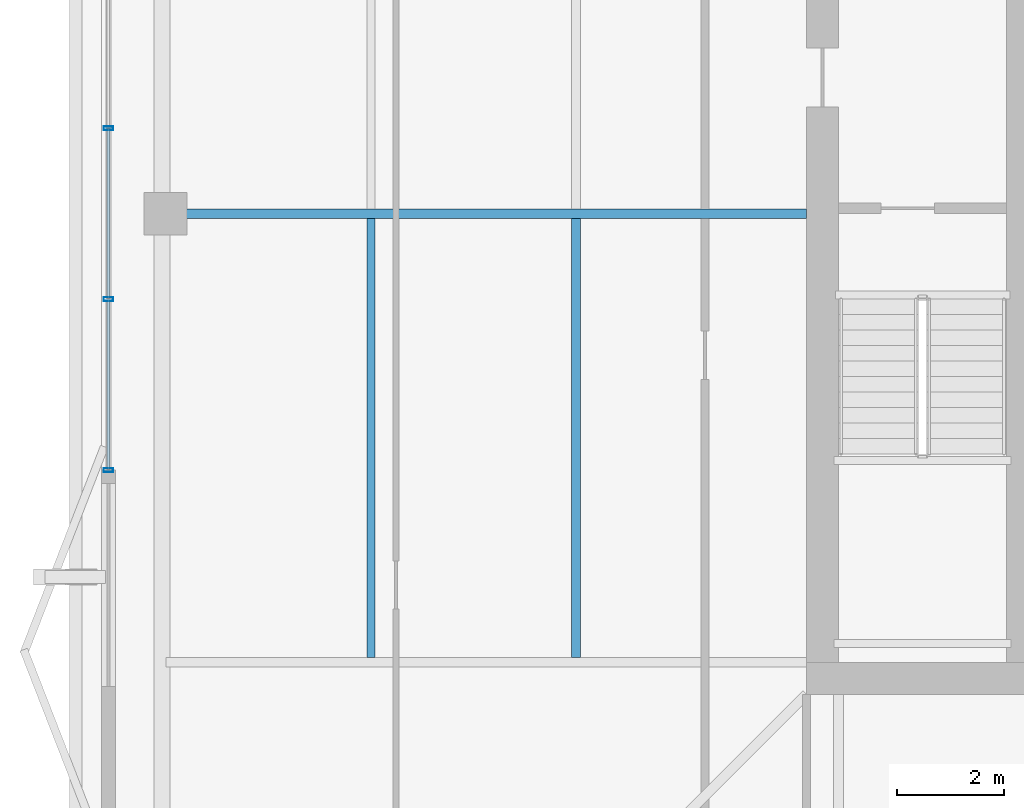
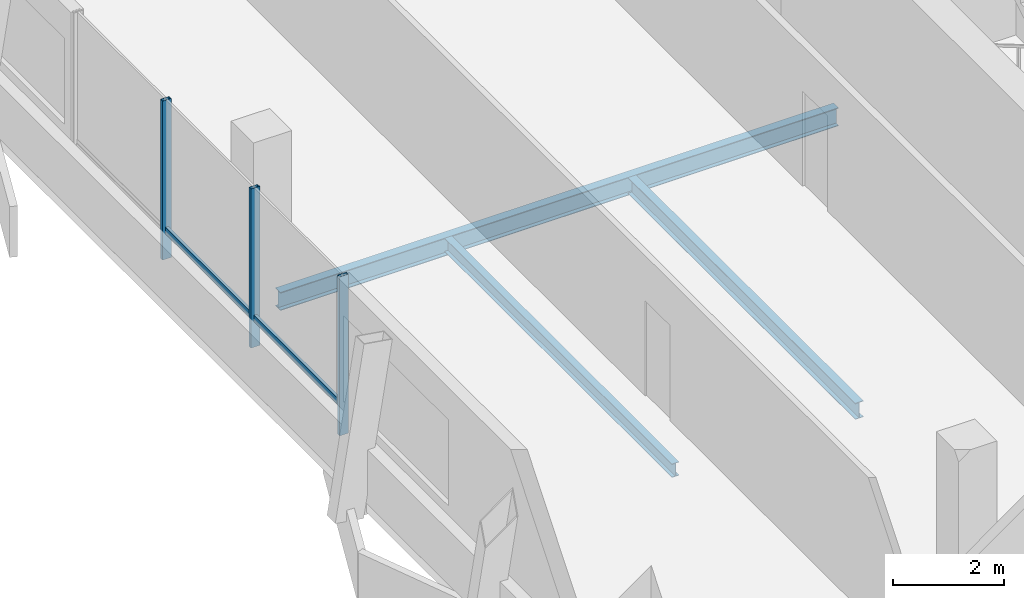
# One storey, part 4 of 17: 5 members, 3 beams, 1 element without a shape of its own.
"""IFC4 building model written with IfcOpenShell, lengths in metres."""

from ifc_helpers import new_model, si_unit, direction, frame, origin, origin_2d, place, context, subcontext, project, spatial, hollow_rectangle, i_section, extrude, material, layer, layer_set, material_profile, profile_set, type_object, element, aggregate, save


model = new_model("IFC4")

# Units and contexts
model_context = context("Model", 3, precision=1e-05, world=origin(), true_north=direction((0.0, 1.0)))
body_context = subcontext(model_context, "Body", "Model", "MODEL_VIEW")
ifc_project = project(units=[si_unit("LENGTHUNIT", "METRE"), si_unit("AREAUNIT", "SQUARE_METRE"), si_unit("VOLUMEUNIT", "CUBIC_METRE"), si_unit("PLANEANGLEUNIT", "RADIAN"), si_unit("MASSUNIT", "GRAM", prefix="KILO")], contexts=[model_context])

# Site, building, storey
site_placement = place(None, origin())
site = spatial("IfcSite", under=ifc_project, at=site_placement, CompositionType="ELEMENT")
building_placement = place(site_placement, origin())
building = spatial("IfcBuilding", under=site, at=building_placement, Name="Belovzor Exchange Tower", CompositionType="ELEMENT")
storey_placement = place(building_placement, frame((0.0, 0.0, 333.0)))
storey = spatial("IfcBuildingStorey", under=building, at=storey_placement, Name="L83", CompositionType="ELEMENT", Elevation=333.0)

# Beams
ifc_material_1 = material(Name="Steel S355", Category="steel")
ifc_material_profile_1 = material_profile(ifc_material_1, i_section(OverallWidth=0.169921875, OverallDepth=0.360107421875, WebThickness=0.008056640625, FlangeThickness=0.0126953125, at=origin_2d()))
ifc_profile_set_1 = profile_set([ifc_material_profile_1], Name="Steel S355")
beam_type_1 = type_object("IfcBeamType", Name="Secondary Infill Floor Joist IPE 360", PredefinedType="BEAM", material=ifc_profile_set_1)
beam_1_placement = place(storey_placement, frame((15.485107421875, 20.489990234375, -0.419921875), z_axis=(0.0, 1.0, 0.0), x_axis=(-1.0, 0.0, 0.0)))
element("IfcBeam", 1, at=beam_1_placement, inside=storey, type_object=beam_type_1, Name="FJ-360 Secondary Infill Floor Joist IPE 360", PredefinedType="BEAM", context=body_context, shape_type="SweptSolid", body=[
    extrude(i_section(OverallWidth=0.169921875, OverallDepth=0.360107421875, WebThickness=0.008056640625, FlangeThickness=0.0126953125, at=origin_2d()), origin(), (0.0, 0.0, 1.0), 8.219970703125),
])
ifc_material_2 = material(Name="Steel S355", Category="steel")
ifc_material_profile_2 = material_profile(ifc_material_2, i_section(OverallWidth=0.14990234375, OverallDepth=0.300048828125, WebThickness=0.007080078125, FlangeThickness=0.0107421875, at=origin_2d()))
ifc_profile_set_2 = profile_set([ifc_material_profile_2], Name="Steel S355")
beam_type_2 = type_object("IfcBeamType", Name="Secondary Trim Floor Joist IPE 300", PredefinedType="BEAM", material=ifc_profile_set_2)
beam_2_placement = place(storey_placement, frame((11.64892578125, 20.489990234375, -0.389892578125), z_axis=(0.0, 1.0, 0.0), x_axis=(-1.0, 0.0, 0.0)))
element("IfcBeam", 2, at=beam_2_placement, inside=storey, type_object=beam_type_2, Name="FJ-300 Secondary Trim Floor Joist IPE 300", PredefinedType="BEAM", context=body_context, shape_type="SweptSolid", body=[
    extrude(i_section(OverallWidth=0.14990234375, OverallDepth=0.300048828125, WebThickness=0.007080078125, FlangeThickness=0.0107421875, at=origin_2d()), origin(), (0.0, 0.0, 1.0), 8.219970703125),
])

# Curtain wall, members
ifc_material_3 = material(Name="Anodised Aluminium Framing", Category="aluminium")
ifc_layer = layer(ifc_material_3, 0.179931640625)
ifc_layer_set = layer_set([ifc_layer], Name="Anodised Aluminium Framing")
curtain_wall_type = type_object("IfcCurtainWallType", Name="Recessed Loggia Low-Iron Triple-Glazed Curtain Wall", PredefinedType="NOTDEFINED", material=ifc_layer_set)
curtain_wall_placement = place(storey_placement, origin())
curtain_wall = element("IfcCurtainWall", 3, at=curtain_wall_placement, inside=storey, type_object=curtain_wall_type, Name="CW3 Recessed Loggia Low-Iron Triple-Glazed Curtain Wall L83", PredefinedType="NOTDEFINED")
ifc_material_4 = material(Name="Steel S355", Category="steel")
ifc_material_profile_3 = material_profile(ifc_material_4, hollow_rectangle(XDim=0.074951171875, YDim=0.179931640625, WallThickness=0.0048828125, at=origin_2d()))
ifc_profile_set_3 = profile_set([ifc_material_profile_3], Name="Steel S355")
member_type_1 = type_object("IfcMemberType", Name="Thermally Broken Curtain Wall Mullion 180x75", PredefinedType="MULLION", material=ifc_profile_set_3)
member_1_placement = place(storey_placement, frame((6.72998046875, 24.0, 0.0), z_axis=(0.0, 0.0, 1.0), x_axis=(0.0, 1.0, 0.0)))
member_1 = element("IfcMember", 4, at=member_1_placement, type_object=member_type_1, Name="CW-M180 Curtain Wall Mullion 1", PredefinedType="MULLION", context=body_context, shape_type="SweptSolid", body=[
    extrude(hollow_rectangle(XDim=0.074951171875, YDim=0.179931640625, WallThickness=0.0048828125, at=origin_2d()), origin(), (0.0, 0.0, 1.0), 3.510009765625),
])
member_2_placement = place(storey_placement, frame((6.72998046875, 27.199951171875, 0.0), z_axis=(0.0, 0.0, 1.0), x_axis=(0.0, 1.0, 0.0)))
member_2 = element("IfcMember", 5, at=member_2_placement, type_object=member_type_1, Name="CW-M180 Curtain Wall Mullion 2", PredefinedType="MULLION", context=body_context, shape_type="SweptSolid", body=[
    extrude(hollow_rectangle(XDim=0.074951171875, YDim=0.179931640625, WallThickness=0.0048828125, at=origin_2d()), origin(), (0.0, 0.0, 1.0), 3.510009765625),
])
member_3_placement = place(storey_placement, frame((6.72998046875, 30.39990234375, 0.0), z_axis=(0.0, 0.0, 1.0), x_axis=(0.0, 1.0, 0.0)))
member_3 = element("IfcMember", 6, at=member_3_placement, type_object=member_type_1, Name="CW-M180 Curtain Wall Mullion 3", PredefinedType="MULLION", context=body_context, shape_type="SweptSolid", body=[
    extrude(hollow_rectangle(XDim=0.074951171875, YDim=0.179931640625, WallThickness=0.0048828125, at=origin_2d()), origin(), (0.0, 0.0, 1.0), 3.510009765625),
])
ifc_material_5 = material(Name="Steel S355", Category="steel")
ifc_material_profile_4 = material_profile(ifc_material_5, hollow_rectangle(XDim=0.06005859375, YDim=0.14990234375, WallThickness=0.00390625, at=origin_2d()))
ifc_profile_set_4 = profile_set([ifc_material_profile_4], Name="Steel S355")
member_type_2 = type_object("IfcMemberType", Name="Thermally Broken Curtain Wall Transom 150x60", PredefinedType="USERDEFINED", material=ifc_profile_set_4)
member_4_placement = place(storey_placement, frame((6.72998046875, 24.008056640625, 0.632080078125), z_axis=(0.0, 1.0, 0.0), x_axis=(-1.0, 0.0, 0.0)))
member_4 = element("IfcMember", 7, at=member_4_placement, type_object=member_type_2, Name="CW-T150 Curtain Wall Transom 1", ObjectType="TRANSOM", PredefinedType="USERDEFINED", context=body_context, shape_type="SweptSolid", body=[
    extrude(hollow_rectangle(XDim=0.06005859375, YDim=0.14990234375, WallThickness=0.00390625, at=origin_2d()), origin(), (0.0, 0.0, 1.0), 3.183837890625),
])
member_5_placement = place(storey_placement, frame((6.72998046875, 27.2080078125, 0.632080078125), z_axis=(0.0, 1.0, 0.0), x_axis=(-1.0, 0.0, 0.0)))
member_5 = element("IfcMember", 8, at=member_5_placement, type_object=member_type_2, Name="CW-T150 Curtain Wall Transom 2", ObjectType="TRANSOM", PredefinedType="USERDEFINED", context=body_context, shape_type="SweptSolid", body=[
    extrude(hollow_rectangle(XDim=0.06005859375, YDim=0.14990234375, WallThickness=0.00390625, at=origin_2d()), origin(), (0.0, 0.0, 1.0), 3.18408203125),
])
aggregate(curtain_wall, [member_1, member_2, member_3, member_4, member_5])

# Beam
ifc_material_6 = material(Name="Steel S355", Category="steel")
ifc_material_profile_5 = material_profile(ifc_material_6, i_section(OverallWidth=0.179931640625, OverallDepth=0.39990234375, WebThickness=0.008544921875, FlangeThickness=0.013427734375, at=origin_2d()))
ifc_profile_set_5 = profile_set([ifc_material_profile_5], Name="Steel S355")
beam_type_3 = type_object("IfcBeamType", Name="Zone 5-6 Radial Composite Floor Beam IPE 400", PredefinedType="BEAM", material=ifc_profile_set_5)
beam_3_placement = place(storey_placement, frame((19.800048828125, 28.800048828125, -0.43994140625), z_axis=(-1.0, 0.0, 0.0), x_axis=(0.0, -1.0, 0.0)))
element("IfcBeam", 9, at=beam_3_placement, inside=storey, type_object=beam_type_3, Name="FB-400 Zone 5-6 Radial Composite Floor Beam IPE 400", PredefinedType="BEAM", context=body_context, shape_type="SweptSolid", body=[
    extrude(i_section(OverallWidth=0.179931640625, OverallDepth=0.39990234375, WebThickness=0.008544921875, FlangeThickness=0.013427734375, at=origin_2d()), origin(), (0.0, 0.0, 1.0), 11.652099609375),
])

save(model, "model.ifc")
